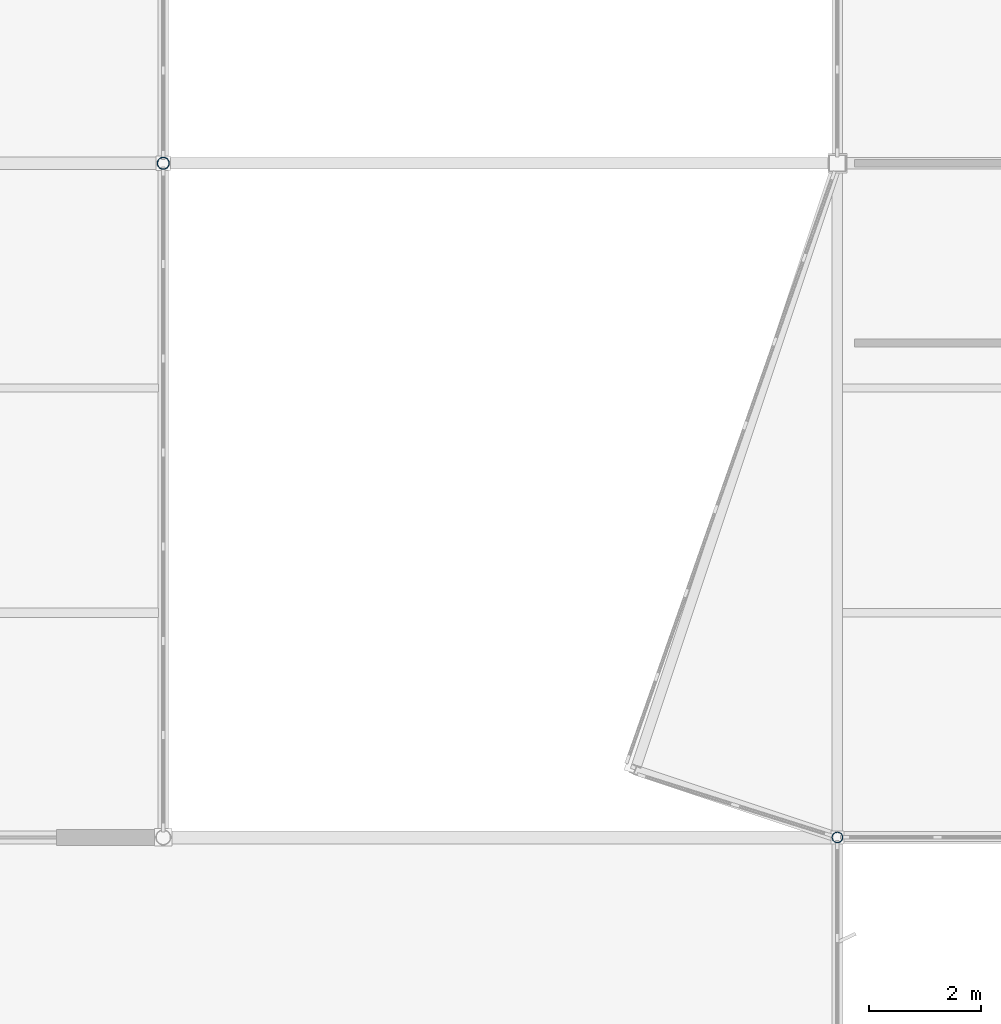
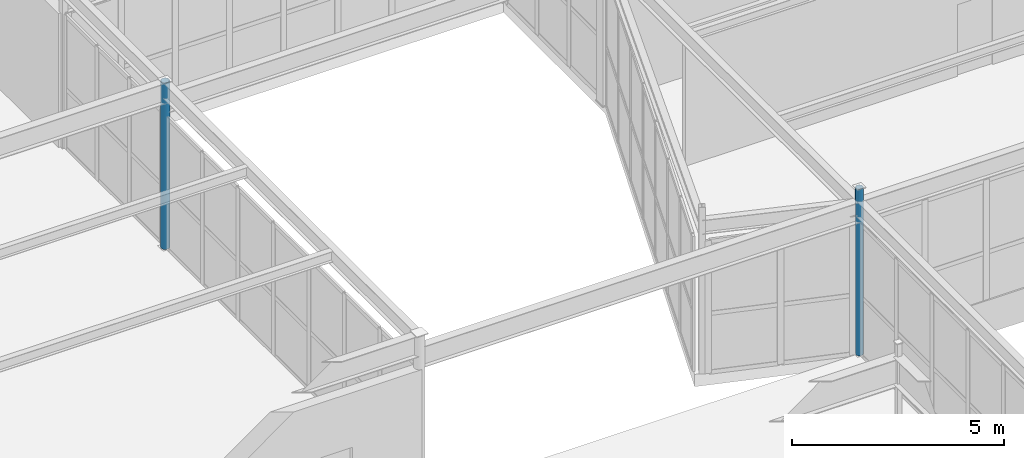
# One storey, part 45 of 186: 2 columns.
"""IFC4 building model written with IfcOpenShell, lengths in metres."""

from ifc_helpers import new_model, si_unit, direction, frame, origin, origin_2d, place, context, subcontext, project, spatial, hollow_circle, extrude, material, material_profile, profile_set, type_object, element, save


model = new_model("IFC4")

# Units and contexts
model_context = context("Model", 3, precision=1e-05, world=origin(), true_north=direction((0.0, 1.0)))
body_context = subcontext(model_context, "Body", "Model", "MODEL_VIEW")
ifc_project = project(units=[si_unit("LENGTHUNIT", "METRE"), si_unit("AREAUNIT", "SQUARE_METRE"), si_unit("VOLUMEUNIT", "CUBIC_METRE"), si_unit("PLANEANGLEUNIT", "RADIAN"), si_unit("MASSUNIT", "GRAM", prefix="KILO")], contexts=[model_context])

# Site, building, storey
site_placement = place(None, origin())
site = spatial("IfcSite", under=ifc_project, at=site_placement, CompositionType="ELEMENT")
building_placement = place(site_placement, origin())
building = spatial("IfcBuilding", under=site, at=building_placement, Name="Tarnwether General Hospital", CompositionType="ELEMENT")
storey_placement = place(building_placement, frame((0.0, 0.0, 9.60009765625)))
storey = spatial("IfcBuildingStorey", under=building, at=storey_placement, Name="L02", CompositionType="ELEMENT", Elevation=9.60009765625)

# Columns
ifc_material_1 = material(Name="Steel Grade C350L0 (350 MPa)", Category="steel")
ifc_material_profile_1 = material_profile(ifc_material_1, hollow_circle(Radius=0.109619140625, WallThickness=0.010009765625, at=origin_2d()), Name="CHS219.1x10.0")
ifc_profile_set_1 = profile_set([ifc_material_profile_1], Name="Steel Grade C350L0 (350 MPa)")
column_type_1 = type_object("IfcColumnType", Name="COL-13", PredefinedType="COLUMN", material=ifc_profile_set_1)
column_1_placement = place(storey_placement, frame((132.0, 93.60009765625, 0.0), z_axis=(0.0, 0.0, 1.0), x_axis=(0.0, 1.0, 0.0)))
element("IfcColumn", 1, at=column_1_placement, inside=storey, type_object=column_type_1, Name="Column COLG-L02-13200_9360", PredefinedType="COLUMN", context=body_context, shape_type="SweptSolid", body=[
    extrude(hollow_circle(Radius=0.109619140625, WallThickness=0.010009765625, at=origin_2d()), origin(), (0.0, 0.0, 1.0), 4.7998046875),
])
ifc_material_2 = material(Name="Steel Grade C350L0 (350 MPa)", Category="steel")
ifc_material_profile_2 = material_profile(ifc_material_2, hollow_circle(Radius=0.096923828125, WallThickness=0.008056640625, at=origin_2d()), Name="CHS193.7x8.0")
ifc_profile_set_2 = profile_set([ifc_material_profile_2], Name="Steel Grade C350L0 (350 MPa)")
column_type_2 = type_object("IfcColumnType", Name="COL-29", PredefinedType="COLUMN", material=ifc_profile_set_2)
column_2_placement = place(storey_placement, frame((144.0, 81.60009765625, 0.0), z_axis=(0.0, 0.0, 1.0), x_axis=(1.0, 0.0, 0.0)))
element("IfcColumn", 2, at=column_2_placement, inside=storey, type_object=column_type_2, Name="Column COLG-L02-14400_8160", PredefinedType="COLUMN", context=body_context, shape_type="SweptSolid", body=[
    extrude(hollow_circle(Radius=0.096923828125, WallThickness=0.008056640625, at=origin_2d()), origin(), (0.0, 0.0, 1.0), 4.7998046875),
])

save(model, "model.ifc")
